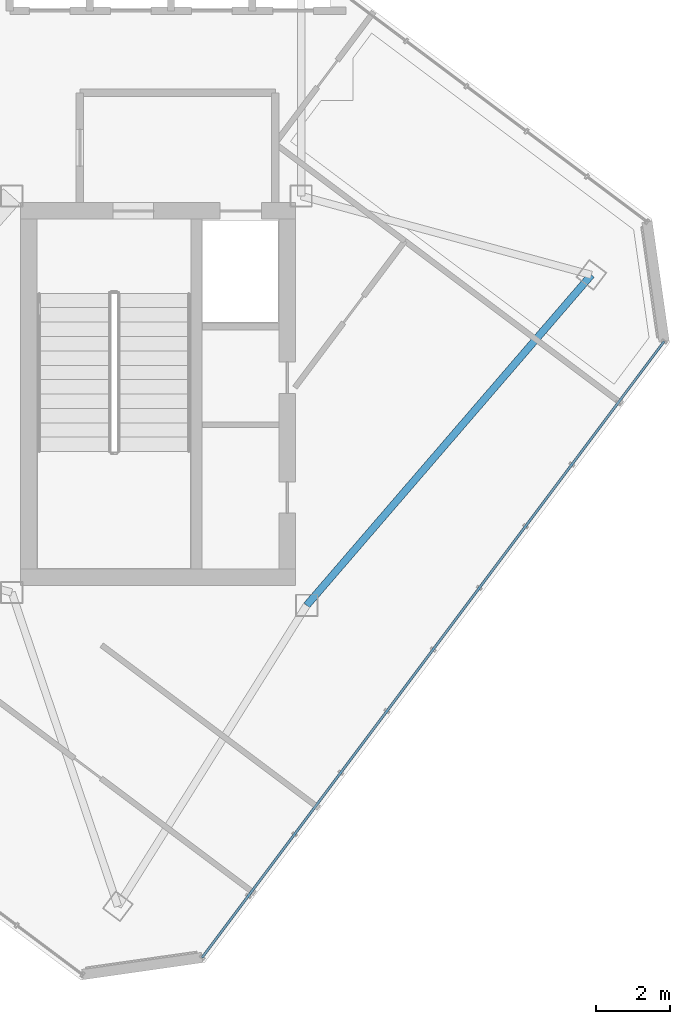
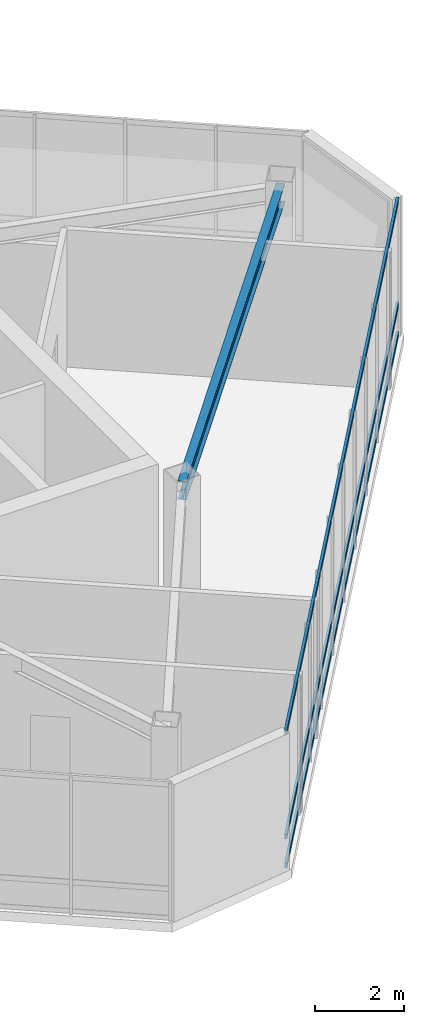
# One storey, part 8 of 21: 3 members, 1 beam, 1 element without a shape of its own.
"""IFC4 building model written with IfcOpenShell, lengths in metres."""

from ifc_helpers import new_model, si_unit, direction, frame, origin, origin_2d, place, context, subcontext, project, spatial, hollow_rectangle, i_section, extrude, material, layer, layer_set, material_profile, profile_set, type_object, element, aggregate, save


model = new_model("IFC4")

# Units and contexts
model_context = context("Model", 3, precision=1e-05, world=origin(), true_north=direction((0.0, 1.0)))
body_context = subcontext(model_context, "Body", "Model", "MODEL_VIEW")
ifc_project = project(units=[si_unit("LENGTHUNIT", "METRE"), si_unit("AREAUNIT", "SQUARE_METRE"), si_unit("VOLUMEUNIT", "CUBIC_METRE"), si_unit("PLANEANGLEUNIT", "RADIAN"), si_unit("MASSUNIT", "GRAM", prefix="KILO")], contexts=[model_context])

# Site, building, storey
site_placement = place(None, origin())
site = spatial("IfcSite", under=ifc_project, at=site_placement, CompositionType="ELEMENT")
building_placement = place(site_placement, origin())
building = spatial("IfcBuilding", under=site, at=building_placement, Name="Hatsunagi Terrace Concourse", CompositionType="ELEMENT")
storey_placement = place(building_placement, frame((0.0, 0.0, 265.949951171875)))
storey = spatial("IfcBuildingStorey", under=building, at=storey_placement, Name="L70", CompositionType="ELEMENT", Elevation=265.949951171875)

# Beam
ifc_material_1 = material(Name="Steel SN490B", Category="steel")
ifc_material_profile_1 = material_profile(ifc_material_1, i_section(OverallWidth=0.199951171875, OverallDepth=0.5, WebThickness=0.010009765625, FlangeThickness=0.01611328125, FilletRadius=0.01611328125, at=origin_2d()), Name="H-500x200x10x16")
ifc_profile_set_1 = profile_set([ifc_material_profile_1], Name="Steel SN490B")
beam_type = type_object("IfcBeamType", Name="CrownFloorGirder_H_500x200", PredefinedType="BEAM", material=ifc_profile_set_1)
beam_placement = place(storey_placement, frame((43.800048828125, 24.199951171875, 3.5), z_axis=(0.652739101421, 0.757582777969, 0.0), x_axis=(-0.757582777969, 0.652739101421, 0.0)))
element("IfcBeam", 1, at=beam_placement, inside=storey, type_object=beam_type, Name="Beam G-07 BM-L70-SET-1B", PredefinedType="BEAM", context=body_context, shape_type="SweptSolid", body=[
    extrude(i_section(OverallWidth=0.199951171875, OverallDepth=0.5, WebThickness=0.010009765625, FlangeThickness=0.01611328125, FilletRadius=0.01611328125, at=origin_2d()), origin(), (0.0, 0.0, 1.0), 11.8271484375),
])

# Curtain wall, members
ifc_material_2 = material(Name="Anodised Aluminium Alloy 6063-T5", Category="aluminium")
ifc_layer = layer(ifc_material_2, 0.199951171875)
ifc_layer_set = layer_set([ifc_layer], Name="CrownWintergarden_CW06")
curtain_wall_type = type_object("IfcCurtainWallType", Name="CrownWintergarden_CW06", PredefinedType="NOTDEFINED", material=ifc_layer_set)
curtain_wall_placement = place(storey_placement, origin())
curtain_wall = element("IfcCurtainWall", 2, at=curtain_wall_placement, inside=storey, type_object=curtain_wall_type, Name="Unitised Curtain Wall CW-06 CW-L70-03", PredefinedType="NOTDEFINED")
ifc_material_3 = material(Name="Anodised Aluminium Alloy 6063-T5", Category="aluminium")
ifc_material_profile_2 = material_profile(ifc_material_3, hollow_rectangle(XDim=0.06494140625, YDim=0.139892578125, WallThickness=0.00390625, at=origin_2d()), Name="ALU-TRN-140x65x4")
ifc_profile_set_2 = profile_set([ifc_material_profile_2], Name="Anodised Aluminium Alloy 6063-T5")
member_type = type_object("IfcMemberType", Name="CurtainWallTransom_140x65", PredefinedType="USERDEFINED", material=ifc_profile_set_2)
member_1_placement = place(storey_placement, frame((53.492919921875, 31.35791015625, 0.050048828125), z_axis=(-0.599970072971, -0.800022444397, 0.0), x_axis=(0.800022444397, -0.599970072971, 0.0)))
member_1 = element("IfcMember", 3, at=member_1_placement, type_object=member_type, Name="Curtain Wall Transom TRN-02", ObjectType="TRANSOM", PredefinedType="USERDEFINED", context=body_context, shape_type="SweptSolid", body=[
    extrude(hollow_rectangle(XDim=0.06494140625, YDim=0.139892578125, WallThickness=0.00390625, at=origin_2d()), origin(), (0.0, 0.0, 1.0), 20.884521484375),
])
member_2_placement = place(storey_placement, frame((53.492919921875, 31.35791015625, 0.85009765625), z_axis=(-0.599970072971, -0.800022444397, 0.0), x_axis=(0.800022444397, -0.599970072971, 0.0)))
member_2 = element("IfcMember", 4, at=member_2_placement, type_object=member_type, Name="Curtain Wall Transom TRN-02", ObjectType="TRANSOM", PredefinedType="USERDEFINED", context=body_context, shape_type="SweptSolid", body=[
    extrude(hollow_rectangle(XDim=0.06494140625, YDim=0.139892578125, WallThickness=0.00390625, at=origin_2d()), origin(), (0.0, 0.0, 1.0), 20.884521484375),
])
member_3_placement = place(storey_placement, frame((53.492919921875, 31.35791015625, 3.699951171875), z_axis=(-0.599970072971, -0.800022444397, 0.0), x_axis=(0.800022444397, -0.599970072971, 0.0)))
member_3 = element("IfcMember", 5, at=member_3_placement, type_object=member_type, Name="Curtain Wall Transom TRN-02", ObjectType="TRANSOM", PredefinedType="USERDEFINED", context=body_context, shape_type="SweptSolid", body=[
    extrude(hollow_rectangle(XDim=0.06494140625, YDim=0.139892578125, WallThickness=0.00390625, at=origin_2d()), origin(), (0.0, 0.0, 1.0), 20.884521484375),
])
aggregate(curtain_wall, [member_1, member_2, member_3])

save(model, "model.ifc")
